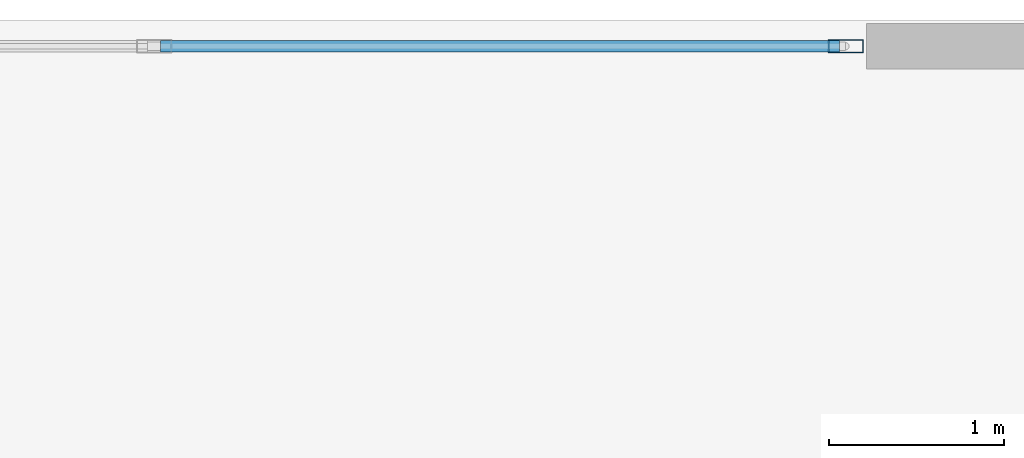
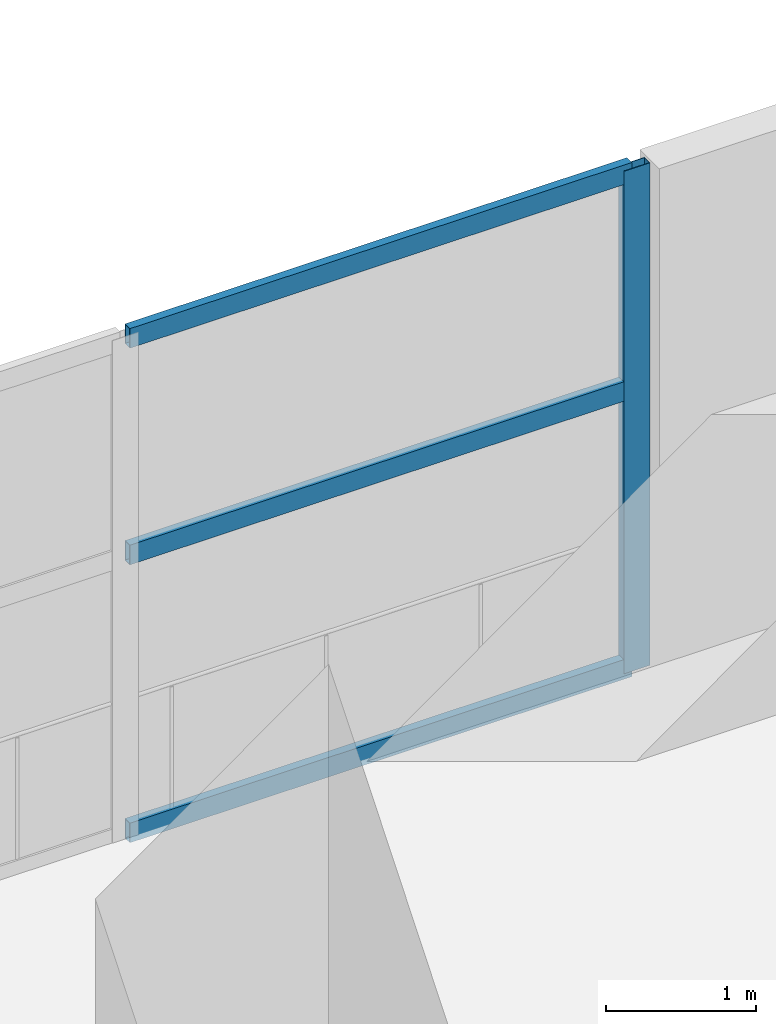
# One storey, part 16 of 27: 4 members, 1 element without a shape of its own.
"""IFC4 building model written with IfcOpenShell, lengths in metres."""

from ifc_helpers import new_model, si_unit, direction, frame, origin, origin_2d, place, context, subcontext, project, spatial, hollow_rectangle, extrude, material, layer, layer_set, material_profile, profile_set, type_object, element, aggregate, save


model = new_model("IFC4")

# Units and contexts
model_context = context("Model", 3, precision=1e-05, world=origin(), true_north=direction((0.0, 1.0)))
body_context = subcontext(model_context, "Body", "Model", "MODEL_VIEW")
ifc_project = project(units=[si_unit("LENGTHUNIT", "METRE"), si_unit("AREAUNIT", "SQUARE_METRE"), si_unit("VOLUMEUNIT", "CUBIC_METRE"), si_unit("PLANEANGLEUNIT", "RADIAN"), si_unit("MASSUNIT", "GRAM", prefix="KILO")], contexts=[model_context])

# Site, building, storey
site_placement = place(None, origin())
site = spatial("IfcSite", under=ifc_project, at=site_placement, CompositionType="ELEMENT")
building_placement = place(site_placement, origin())
building = spatial("IfcBuilding", under=site, at=building_placement, Name="Solvane Sanctuary Tower", CompositionType="ELEMENT")
storey_placement = place(building_placement, frame((0.0, 0.0, 23.0)))
storey = spatial("IfcBuildingStorey", under=building, at=storey_placement, Name="L06", CompositionType="ELEMENT", Elevation=23.0)

# Curtain wall, members
ifc_material = material(Name="Anodised Aluminium 6063-T6", Category="aluminium")
ifc_layer = layer(ifc_material, 0.159912109375, Name="Anodised Aluminium 6063-T6")
ifc_layer_set = layer_set([ifc_layer], Name="Anodised Aluminium 6063-T6")
curtain_wall_type = type_object("IfcCurtainWallType", Name="Curtain Wall CW-POD", PredefinedType="NOTDEFINED", material=ifc_layer_set)
curtain_wall_placement = place(storey_placement, origin())
curtain_wall = element("IfcCurtainWall", 1, at=curtain_wall_placement, inside=storey, type_object=curtain_wall_type, Name="L06 Sanctuary Curtain Wall N2", PredefinedType="NOTDEFINED")
ifc_material_profile_1 = material_profile(ifc_material, hollow_rectangle(XDim=0.074951171875, YDim=0.199951171875, WallThickness=0.00390625, at=origin_2d()), Name="ALU200X75X4")
ifc_profile_set_1 = profile_set([ifc_material_profile_1], Name="Anodised Aluminium 6063-T6")
member_type_1 = type_object("IfcMemberType", Name="Member M-CW-MUL-1 ALU200X75X4", PredefinedType="MULLION", material=ifc_profile_set_1)
member_1_placement = place(storey_placement, frame((43.96240234375, 45.85009765625, 0.0), z_axis=(0.0, 0.0, 1.0), x_axis=(0.0, -1.0, 0.0)))
member_1 = element("IfcMember", 2, at=member_1_placement, type_object=member_type_1, Name="CW-POD mullion 1", PredefinedType="MULLION", context=body_context, shape_type="SweptSolid", body=[
    extrude(hollow_rectangle(XDim=0.074951171875, YDim=0.199951171875, WallThickness=0.00390625, at=origin_2d()), origin(), (0.0, 0.0, 1.0), 4.10009765625),
])
ifc_material_profile_2 = material_profile(ifc_material, hollow_rectangle(XDim=0.06494140625, YDim=0.159912109375, WallThickness=0.00341796875, at=origin_2d()), Name="ALU160X65X3.5")
ifc_profile_set_2 = profile_set([ifc_material_profile_2], Name="Anodised Aluminium 6063-T6")
member_type_2 = type_object("IfcMemberType", Name="Member M-CW-TRN-1 ALU160X65X3.5", PredefinedType="USERDEFINED", material=ifc_profile_set_2)
member_2_placement = place(storey_placement, frame((43.925048828125, 45.85009765625, 0.032470703125), z_axis=(-1.0, 0.0, 0.0), x_axis=(0.0, -1.0, 0.0)))
member_2 = element("IfcMember", 3, at=member_2_placement, type_object=member_type_2, Name="CW-POD transom 1.1", ObjectType="TRANSOM", PredefinedType="USERDEFINED", context=body_context, shape_type="SweptSolid", body=[
    extrude(hollow_rectangle(XDim=0.06494140625, YDim=0.159912109375, WallThickness=0.00341796875, at=origin_2d()), origin(), (0.0, 0.0, 1.0), 3.874267578125),
])
member_3_placement = place(storey_placement, frame((43.925048828125, 45.85009765625, 2.300048828125), z_axis=(-1.0, 0.0, 0.0), x_axis=(0.0, -1.0, 0.0)))
member_3 = element("IfcMember", 4, at=member_3_placement, type_object=member_type_2, Name="CW-POD transom 1.2", ObjectType="TRANSOM", PredefinedType="USERDEFINED", context=body_context, shape_type="SweptSolid", body=[
    extrude(hollow_rectangle(XDim=0.06494140625, YDim=0.159912109375, WallThickness=0.00341796875, at=origin_2d()), origin(), (0.0, 0.0, 1.0), 3.874267578125),
])
member_4_placement = place(storey_placement, frame((43.925048828125, 45.85009765625, 4.0673828125), z_axis=(-1.0, 0.0, 0.0), x_axis=(0.0, -1.0, 0.0)))
member_4 = element("IfcMember", 5, at=member_4_placement, type_object=member_type_2, Name="CW-POD transom 1.3", ObjectType="TRANSOM", PredefinedType="USERDEFINED", context=body_context, shape_type="SweptSolid", body=[
    extrude(hollow_rectangle(XDim=0.06494140625, YDim=0.159912109375, WallThickness=0.00341796875, at=origin_2d()), origin(), (0.0, 0.0, 1.0), 3.874267578125),
])
aggregate(curtain_wall, [member_1, member_2, member_3, member_4])

save(model, "model.ifc")
